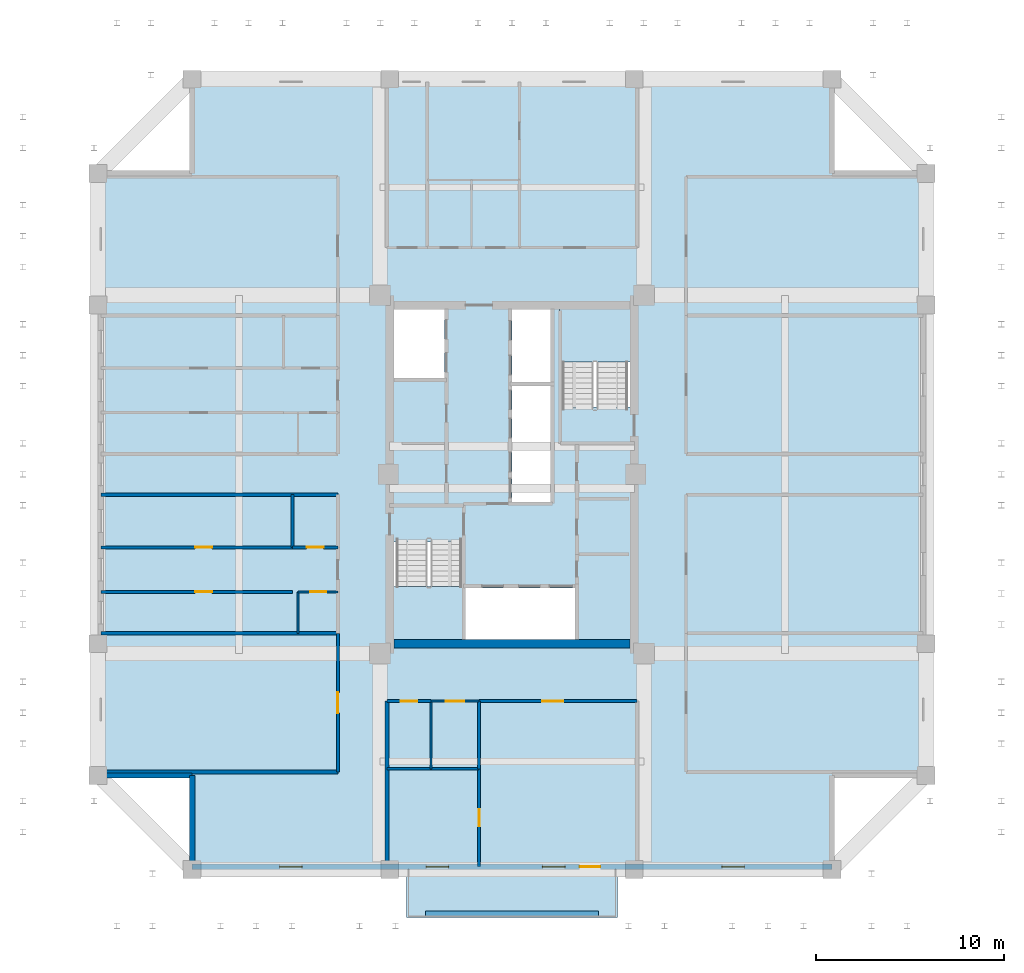
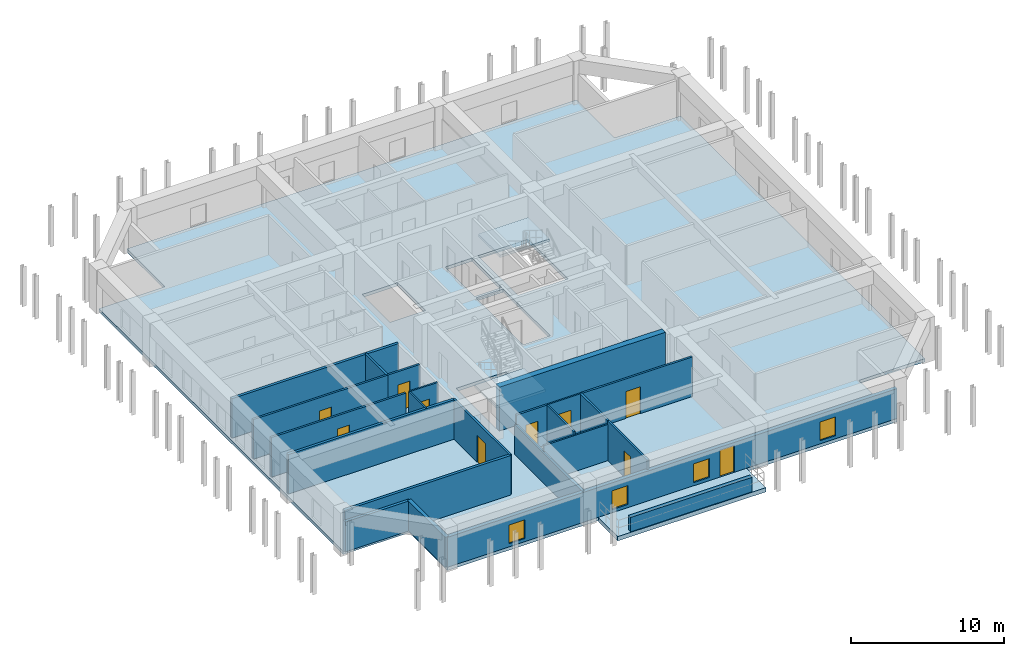
# One storey, part 7 of 13: 23 walls, 10 doors, 4 slabs, 4 windows, 14 openings, 2 elements without a shape of their own.
"""IFC4 building model written with IfcOpenShell, lengths in metres."""

from ifc_helpers import new_model, si_unit, direction, frame, frame_2d, origin, place, context, subcontext, project, spatial, polyline, rectangle, outline, extrude, source, transform, mapped, material, layer, layer_set, type_object, element, fill, aggregate, save


model = new_model("IFC4")

# Units and contexts
model_context = context("Model", 3, precision=1e-05, world=origin(), true_north=direction((0.0, 1.0)))
body_context = subcontext(model_context, "Body", "Model", "MODEL_VIEW")
ifc_project = project(units=[si_unit("LENGTHUNIT", "METRE"), si_unit("AREAUNIT", "SQUARE_METRE"), si_unit("VOLUMEUNIT", "CUBIC_METRE"), si_unit("PLANEANGLEUNIT", "RADIAN"), si_unit("MASSUNIT", "GRAM", prefix="KILO")], contexts=[model_context])

# Site, building, storey
site_placement = place(None, origin())
site = spatial("IfcSite", under=ifc_project, at=site_placement, CompositionType="ELEMENT")
building_placement = place(site_placement, origin())
building = spatial("IfcBuilding", under=site, at=building_placement, Name="Saelheon Loggia Tower", CompositionType="ELEMENT")
storey_placement = place(building_placement, frame((0.0, 0.0, 148.699951171875)))
storey = spatial("IfcBuildingStorey", under=building, at=storey_placement, Name="L47", CompositionType="ELEMENT", Elevation=148.699951171875)

# Slabs
ifc_material_1 = material(Name="Concrete C45/55", Category="concrete")
ifc_layer_1 = layer(ifc_material_1, 0.260009765625)
ifc_layer_set_1 = layer_set([ifc_layer_1], Name="Concrete C45/55")
slab_type_1 = type_object("IfcSlabType", Name="Slab_Amenity_260", PredefinedType="FLOOR", material=ifc_layer_set_1)
slab_1_placement = place(storey_placement, frame((0.0, 0.0, -0.260009765625)))
element("IfcSlab", 1, at=slab_1_placement, inside=storey, type_object=slab_type_1, Name="L47 Tower Floor Slab", PredefinedType="FLOOR", context=body_context, shape_type="SweptSolid", body=[
    extrude(outline(polyline([(21.0, 6.0), (55.0, 6.0), (55.0, 11.0), (60.0, 11.0), (60.0, 43.0), (55.0, 43.0), (55.0, 48.0), (21.0, 48.0), (21.0, 43.0), (16.0, 43.0), (16.0, 11.0), (21.0, 11.0), (21.0, 6.0)]), holes=[polyline([(31.699951171875, 23.409912109375), (31.699951171875, 18.199951171875), (35.47998046875, 18.199951171875), (35.47998046875, 23.409912109375), (31.699951171875, 23.409912109375)]), polyline([(44.300048828125, 30.590087890625), (44.300048828125, 35.800048828125), (40.52001953125, 35.800048828125), (40.52001953125, 30.590087890625), (44.300048828125, 30.590087890625)]), polyline([(35.530029296875, 18.22509765625), (41.35009765625, 18.22509765625), (41.35009765625, 20.9599609375), (35.530029296875, 20.9599609375), (35.530029296875, 18.22509765625)]), polyline([(31.72509765625, 32.1201171875), (34.419921875, 32.1201171875), (34.419921875, 35.77490234375), (31.72509765625, 35.77490234375), (31.72509765625, 32.1201171875)]), polyline([(38.0, 31.89990234375), (40.050048828125, 31.89990234375), (40.050048828125, 35.77490234375), (38.0, 35.77490234375), (38.0, 31.89990234375)]), polyline([(38.0, 25.5400390625), (40.050048828125, 25.5400390625), (40.050048828125, 31.699951171875), (38.0, 31.699951171875), (38.0, 25.5400390625)])]), origin(), (0.0, 0.0, 1.0), 0.260009765625),
])
ifc_material_2 = material(Name="Concrete C50/60", Category="concrete")
ifc_layer_2 = layer(ifc_material_2, 0.340087890625)
ifc_layer_set_2 = layer_set([ifc_layer_2], Name="Concrete C50/60")
slab_type_2 = type_object("IfcSlabType", Name="Slab_SkyPoolDeck_Ext_340", PredefinedType="FLOOR", material=ifc_layer_set_2)
slab_2_placement = place(storey_placement, frame((0.0, 0.0, -0.33984375)))
element("IfcSlab", 2, at=slab_2_placement, inside=storey, type_object=slab_type_2, Name="L47 Cantilevered Sky Pool and Deck Slab", PredefinedType="FLOOR", context=body_context, shape_type="SweptSolid", body=[
    extrude(outline(polyline([(32.39990234375, 3.449951171875), (43.60009765625, 3.449951171875), (43.60009765625, 6.0), (32.39990234375, 6.0), (32.39990234375, 3.449951171875)])), origin(), (0.0, 0.0, 1.0), 0.33984375),
])

# Stair, slab
ifc_material_3 = material(Name="Concrete C40/50", Category="concrete")
stair_type = type_object("IfcStairType", Name="Stair_Escape_Core", PredefinedType="HALF_TURN_STAIR", material=ifc_material_3)
stair_1_placement = place(storey_placement, origin())
stair_1 = element("IfcStair", 3, at=stair_1_placement, inside=storey, type_object=stair_type, Name="L47 Special Escape Stair ST1", PredefinedType="HALF_TURN_STAIR")
ifc_layer_3 = layer(ifc_material_3, 0.199951171875)
ifc_layer_set_3 = layer_set([ifc_layer_3], Name="Concrete C40/50")
slab_type_3 = type_object("IfcSlabType", Name="Slab_StairLanding_ST1", PredefinedType="LANDING", material=ifc_layer_set_3)
slab_3_placement = place(storey_placement, frame((0.0, 0.0, 1.550048828125)))
slab_3 = element("IfcSlab", 4, at=slab_3_placement, type_object=slab_type_3, Name="ST1 landing 1", PredefinedType="LANDING", context=body_context, shape_type="SweptSolid", body=[
    extrude(outline(polyline([(31.7099609375, 21.030029296875), (31.7099609375, 18.2099609375), (35.469970703125, 18.2099609375), (35.469970703125, 21.030029296875), (31.7099609375, 21.030029296875)])), origin(), (0.0, 0.0, 1.0), 0.199951171875),
])
aggregate(stair_1, [slab_3])

stair_2_placement = place(storey_placement, origin())
stair_2 = element("IfcStair", 5, at=stair_2_placement, inside=storey, type_object=stair_type, Name="L47 Special Escape Stair ST2", PredefinedType="HALF_TURN_STAIR")
ifc_layer_4 = layer(ifc_material_3, 0.199951171875)
ifc_layer_set_4 = layer_set([ifc_layer_4], Name="Concrete C40/50")
slab_type_4 = type_object("IfcSlabType", Name="Slab_StairLanding_ST2", PredefinedType="LANDING", material=ifc_layer_set_4)
slab_4_placement = place(storey_placement, frame((0.0, 0.0, 1.550048828125)))
slab_4 = element("IfcSlab", 6, at=slab_4_placement, type_object=slab_type_4, Name="ST2 landing 1", PredefinedType="LANDING", context=body_context, shape_type="SweptSolid", body=[
    extrude(outline(polyline([(44.2900390625, 32.969970703125), (44.2900390625, 35.7900390625), (40.530029296875, 35.7900390625), (40.530029296875, 32.969970703125), (44.2900390625, 32.969970703125)])), origin(), (0.0, 0.0, 1.0), 0.199951171875),
])
aggregate(stair_2, [slab_4])

# Wall
ifc_layer_5 = layer(ifc_material_1, 0.449951171875)
ifc_layer_set_5 = layer_set([ifc_layer_5], Name="Concrete C45/55")
wall_type_1 = type_object("IfcWallType", Name="Wall_CoreShear_450", PredefinedType="SHEAR", material=ifc_layer_set_5)
wall_1_placement = place(storey_placement, frame((31.72509765625, 18.0, 0.0), z_axis=(0.0, 0.0, 1.0), x_axis=(1.0, 0.0, 0.0)))
element("IfcWall", 7, at=wall_1_placement, inside=storey, type_object=wall_type_1, Name="L47 Core Shear Wall South", PredefinedType="SHEAR", context=body_context, shape_type="SweptSolid", body=[
    extrude(rectangle(XDim=12.5498046875, YDim=0.449951171875, at=frame_2d((6.27490234375, 0.0))), origin(), (0.0, 0.0, 1.0), 3.5),
])

# Wall, openings, windows, door
ifc_material_4 = material(Name="Architectural Precast Concrete C40/50", Category="concrete")
ifc_layer_6 = layer(ifc_material_4, 0.280029296875)
ifc_layer_set_6 = layer_set([ifc_layer_6], Name="Architectural Precast Concrete C40/50")
wall_type_2 = type_object("IfcWallType", Name="Wall_Ext_Loggia_280", PredefinedType="SOLIDWALL", material=ifc_layer_set_6)
wall_2_placement = place(storey_placement, frame((21.0, 6.139892578125, 0.0), z_axis=(0.0, 0.0, 1.0), x_axis=(1.0, 0.0, 0.0)))
wall_2 = element("IfcWall", 8, at=wall_2_placement, inside=storey, type_object=wall_type_2, Name="L47 South Loggia Inner Wall", PredefinedType="SOLIDWALL", context=body_context, shape_type="SweptSolid", body=[
    extrude(rectangle(XDim=34.0, YDim=0.280029296875, at=frame_2d((17.0, 0.0))), origin(), (0.0, 0.0, 1.0), 2.39013671875),
])
opening_1_placement = place(wall_2_placement, frame((4.64990234375, 0.0, 0.25)))
opening_1 = element("IfcOpeningElement", 9, at=opening_1_placement, cuts=wall_2, Name="Opening WN-03", PredefinedType="OPENING", context=body_context, shape_type="SweptSolid", body=[
    extrude(rectangle(XDim=1.199951171875, YDim=1.5, at=frame_2d((0.60009765625, 0.75))), frame((0.0, 0.152099609375, 0.0), z_axis=(0.0, -1.0, 0.0), x_axis=(1.0, 0.0, 0.0)), (0.0, 0.0, 1.0), 0.303955078125),
])
opening_2_placement = place(wall_2_placement, frame((12.4326171875, 0.0, 0.25)))
opening_2 = element("IfcOpeningElement", 10, at=opening_2_placement, cuts=wall_2, Name="Opening WN-03", PredefinedType="OPENING", context=body_context, shape_type="SweptSolid", body=[
    extrude(rectangle(XDim=1.199951171875, YDim=1.5, at=frame_2d((0.60009765625, 0.75))), frame((0.0, 0.152099609375, 0.0), z_axis=(0.0, -1.0, 0.0), x_axis=(1.0, 0.0, 0.0)), (0.0, 0.0, 1.0), 0.303955078125),
])
opening_3_placement = place(wall_2_placement, frame((18.617431640625, 0.0, 0.25)))
opening_3 = element("IfcOpeningElement", 11, at=opening_3_placement, cuts=wall_2, Name="Opening WN-03", PredefinedType="OPENING", context=body_context, shape_type="SweptSolid", body=[
    extrude(rectangle(XDim=1.199951171875, YDim=1.5, at=frame_2d((0.60009765625, 0.75))), frame((0.0, 0.152099609375, 0.0), z_axis=(0.0, -1.0, 0.0), x_axis=(1.0, 0.0, 0.0)), (0.0, 0.0, 1.0), 0.303955078125),
])
opening_4_placement = place(wall_2_placement, frame((28.14990234375, 0.0, 0.25)))
opening_4 = element("IfcOpeningElement", 12, at=opening_4_placement, cuts=wall_2, Name="Opening WN-03", PredefinedType="OPENING", context=body_context, shape_type="SweptSolid", body=[
    extrude(rectangle(XDim=1.199951171875, YDim=1.5, at=frame_2d((0.60009765625, 0.75))), frame((0.0, 0.152099609375, 0.0), z_axis=(0.0, -1.0, 0.0), x_axis=(1.0, 0.0, 0.0)), (0.0, 0.0, 1.0), 0.303955078125),
])
opening_5_placement = place(wall_2_placement, frame((21.7001953125, 0.0, 0.0), z_axis=(0.0, 0.0, 1.0), x_axis=(-1.0, 0.0, 0.0)))
opening_5 = element("IfcOpeningElement", 13, at=opening_5_placement, cuts=wall_2, Name="Opening TD1", PredefinedType="OPENING", context=body_context, shape_type="SweptSolid", body=[
    extrude(rectangle(XDim=1.10009765625, YDim=2.14990234375, at=frame_2d((0.550048828125, 1.074951171875))), frame((0.0, 0.152099609375, 0.0), z_axis=(0.0, -1.0, 0.0), x_axis=(1.0, 0.0, 0.0)), (0.0, 0.0, 1.0), 0.303955078125),
])
ifc_material_5 = material(Name="Thermal-Break Aluminium and Triple Low-E Glass", Category="aluminium")
window_type = type_object("IfcWindowType", Name="Win_Bedroom_1200x1500", PartitioningType="SINGLE_PANEL", PredefinedType="WINDOW", material=ifc_material_5)
shared_shape_1 = source(origin(), body_context, "Body", "SweptSolid", [
    extrude(rectangle(XDim=1.199951171875, YDim=1.5, at=frame_2d((0.60009765625, 0.75))), frame((0.0, 0.030029296875, 0.0), z_axis=(0.0, -1.0, 0.0), x_axis=(1.0, 0.0, 0.0)), (0.0, 0.0, 1.0), 0.06005859375),
])
window_1_placement = place(opening_1_placement, origin())
window_1 = element("IfcWindow", 14, at=window_1_placement, inside=storey, type_object=window_type, Name="L47 S Dwelling Window 1", OverallHeight=1.5, OverallWidth=1.199951171875, PartitioningType="SINGLE_PANEL", PredefinedType="WINDOW", context=body_context, shape_type="MappedRepresentation", body=[
    mapped(shared_shape_1, transform((0.0, 0.0, 0.0), scale=1.0)),
])
fill(opening_1, window_1)
window_2_placement = place(opening_2_placement, origin())
window_2 = element("IfcWindow", 15, at=window_2_placement, inside=storey, type_object=window_type, Name="L47 S Dwelling Window 2", OverallHeight=1.5, OverallWidth=1.199951171875, PartitioningType="SINGLE_PANEL", PredefinedType="WINDOW", context=body_context, shape_type="MappedRepresentation", body=[
    mapped(shared_shape_1, transform((0.0, 0.0, 0.0), scale=1.0)),
])
fill(opening_2, window_2)
window_3_placement = place(opening_3_placement, origin())
window_3 = element("IfcWindow", 16, at=window_3_placement, inside=storey, type_object=window_type, Name="L47 S Dwelling Window 3", OverallHeight=1.5, OverallWidth=1.199951171875, PartitioningType="SINGLE_PANEL", PredefinedType="WINDOW", context=body_context, shape_type="MappedRepresentation", body=[
    mapped(shared_shape_1, transform((0.0, 0.0, 0.0), scale=1.0)),
])
fill(opening_3, window_3)
window_4_placement = place(opening_4_placement, origin())
window_4 = element("IfcWindow", 17, at=window_4_placement, inside=storey, type_object=window_type, Name="L47 S Dwelling Window 4", OverallHeight=1.5, OverallWidth=1.199951171875, PartitioningType="SINGLE_PANEL", PredefinedType="WINDOW", context=body_context, shape_type="MappedRepresentation", body=[
    mapped(shared_shape_1, transform((0.0, 0.0, 0.0), scale=1.0)),
])
fill(opening_4, window_4)
ifc_material_6 = material(Name="Thermal-Break Aluminium Glazed Door", Category="aluminium")
door_type_1 = type_object("IfcDoorType", Name="Door_Terrace_TD1", OperationType="NOTDEFINED", PredefinedType="DOOR", material=ifc_material_6)
shared_shape_2 = source(origin(), body_context, "Body", "SweptSolid", [
    extrude(rectangle(XDim=1.10009765625, YDim=2.14990234375, at=frame_2d((0.550048828125, 1.074951171875))), frame((0.0, 0.02490234375, 0.0), z_axis=(0.0, -1.0, 0.0), x_axis=(1.0, 0.0, 0.0)), (0.0, 0.0, 1.0), 0.050048828125),
])
door_1_placement = place(opening_5_placement, origin())
door_1 = element("IfcDoor", 18, at=door_1_placement, inside=storey, type_object=door_type_1, Name="L47 Sky Pool Terrace Door", OperationType="SINGLE_SWING_LEFT", OverallHeight=2.14990234375, OverallWidth=1.10009765625, PredefinedType="DOOR", context=body_context, shape_type="MappedRepresentation", body=[
    mapped(shared_shape_2, transform((0.0, 0.0, 0.0), scale=1.0)),
])
fill(opening_5, door_1)

# Walls
for number, where, z_axis, x_axis, name in (
    (19, (21.0, 6.080078125, 0.0), (0.0, 0.0, 1.0), (0.0, 1.0, 0.0), "L47 Corner Notch Precast Wall SW1"),
    (20, (16.080078125, 11.0, 0.0), (0.0, 0.0, 1.0), (1.0, 0.0, 0.0), "L47 Corner Notch Precast Wall SW2"),
):
    element("IfcWall", number, at=place(storey_placement, frame(where, z_axis=z_axis, x_axis=x_axis)), inside=storey, type_object=wall_type_2, Name=name, PredefinedType="SOLIDWALL", context=body_context, shape_type="SweptSolid", body=[
        extrude(rectangle(XDim=4.919921875, YDim=0.280029296875, at=frame_2d((2.4599609375, 0.0))), origin(), (0.0, 0.0, 1.0), 2.39013671875),
    ])
ifc_material_7 = material(Name="Lightweight Autoclaved Aerated Concrete Block and Acoustic Gypsum", Category="concrete")
ifc_layer_7 = layer(ifc_material_7, 0.14990234375)
ifc_layer_set_7 = layer_set([ifc_layer_7], Name="Lightweight Autoclaved Aerated Concrete Block and Acoustic Gypsum")
wall_type_3 = type_object("IfcWallType", Name="Wall_Part_150", PredefinedType="PARTITIONING", material=ifc_layer_set_7)
wall_3_placement = place(storey_placement, frame((36.25, 14.949951171875, 0.0), z_axis=(0.0, 0.0, 1.0), x_axis=(0.0, -1.0, 0.0)))
element("IfcWall", 21, at=wall_3_placement, inside=storey, type_object=wall_type_3, Name="L47 S Partition U04", PredefinedType="PARTITIONING", context=body_context, shape_type="SweptSolid", body=[
    extrude(rectangle(XDim=3.599853515625, YDim=0.14990234375, at=frame_2d((1.7998046875, 0.0))), origin(), (0.0, 0.0, 1.0), 3.16015625),
])

# Wall, opening, door
wall_4_placement = place(storey_placement, frame((36.25, 11.35009765625, 0.0), z_axis=(0.0, 0.0, 1.0), x_axis=(0.0, -1.0, 0.0)))
wall_4 = element("IfcWall", 22, at=wall_4_placement, inside=storey, type_object=wall_type_3, Name="L47 S Partition U05", PredefinedType="PARTITIONING", context=body_context, shape_type="SweptSolid", body=[
    extrude(rectangle(XDim=5.2001953125, YDim=0.14990234375, at=frame_2d((2.60009765625, 0.0))), origin(), (0.0, 0.0, 1.0), 3.16015625),
])
opening_6_placement = place(wall_4_placement, frame((2.14990234375, 0.0, 0.0)))
opening_6 = element("IfcOpeningElement", 23, at=opening_6_placement, cuts=wall_4, Name="Opening D-IN2", PredefinedType="OPENING", context=body_context, shape_type="SweptSolid", body=[
    extrude(rectangle(XDim=0.89990234375, YDim=2.10009765625, at=frame_2d((0.449951171875, 1.050048828125))), frame((0.0, 0.0869140625, 0.0), z_axis=(0.0, -1.0, 0.0), x_axis=(1.0, 0.0, 0.0)), (0.0, 0.0, 1.0), 0.173828125),
])
ifc_material_8 = material(Name="Engineered Oak Flush Door", Category="timber")
door_type_2 = type_object("IfcDoorType", Name="Door_Int_900", OperationType="NOTDEFINED", PredefinedType="DOOR", material=ifc_material_8)
shared_shape_3 = source(origin(), body_context, "Body", "SweptSolid", [
    extrude(rectangle(XDim=0.89990234375, YDim=2.10009765625, at=frame_2d((0.449951171875, 1.050048828125))), frame((0.0, 0.02490234375, 0.0), z_axis=(0.0, -1.0, 0.0), x_axis=(1.0, 0.0, 0.0)), (0.0, 0.0, 1.0), 0.050048828125),
])
door_2_placement = place(opening_6_placement, origin())
door_2 = element("IfcDoor", 24, at=door_2_placement, inside=storey, type_object=door_type_2, Name="L47 Reading Alcove Door", OperationType="SINGLE_SWING_RIGHT", OverallHeight=2.10009765625, OverallWidth=0.89990234375, PredefinedType="DOOR", context=body_context, shape_type="MappedRepresentation", body=[
    mapped(shared_shape_3, transform((0.0, 0.0, 0.0), scale=1.0)),
])
fill(opening_6, door_2)

wall_5_placement = place(storey_placement, frame((31.35009765625, 14.949951171875, 0.0), z_axis=(0.0, 0.0, 1.0), x_axis=(1.0, 0.0, 0.0)))
wall_5 = element("IfcWall", 25, at=wall_5_placement, inside=storey, type_object=wall_type_3, Name="L47 S Partition V07", PredefinedType="PARTITIONING", context=body_context, shape_type="SweptSolid", body=[
    extrude(rectangle(XDim=2.349853515625, YDim=0.14990234375, at=frame_2d((1.1748046875, 0.0))), origin(), (0.0, 0.0, 1.0), 3.16015625),
])
opening_7_placement = place(wall_5_placement, frame((0.72509765625, 0.0, 0.0)))
opening_7 = element("IfcOpeningElement", 26, at=opening_7_placement, cuts=wall_5, Name="Opening D-IN2", PredefinedType="OPENING", context=body_context, shape_type="SweptSolid", body=[
    extrude(rectangle(XDim=0.89990234375, YDim=2.10009765625, at=frame_2d((0.449951171875, 1.050048828125))), frame((0.0, 0.0869140625, 0.0), z_axis=(0.0, -1.0, 0.0), x_axis=(1.0, 0.0, 0.0)), (0.0, 0.0, 1.0), 0.173828125),
])
door_3_placement = place(opening_7_placement, origin())
door_3 = element("IfcDoor", 27, at=door_3_placement, inside=storey, type_object=door_type_2, Name="L47 Community Pantry Door", OperationType="SINGLE_SWING_LEFT", OverallHeight=2.10009765625, OverallWidth=0.89990234375, PredefinedType="DOOR", context=body_context, shape_type="MappedRepresentation", body=[
    mapped(shared_shape_3, transform((0.0, 0.0, 0.0), scale=1.0)),
])
fill(opening_7, door_3)

wall_6_placement = place(storey_placement, frame((36.25, 14.949951171875, 0.0), z_axis=(0.0, 0.0, 1.0), x_axis=(1.0, 0.0, 0.0)))
wall_6 = element("IfcWall", 28, at=wall_6_placement, inside=storey, type_object=wall_type_3, Name="L47 S Partition V09", PredefinedType="PARTITIONING", context=body_context, shape_type="SweptSolid", body=[
    extrude(rectangle(XDim=8.39990234375, YDim=0.14990234375, at=frame_2d((4.199951171875, 0.0))), origin(), (0.0, 0.0, 1.0), 3.16015625),
])
opening_8_placement = place(wall_6_placement, frame((3.367431640625, 0.0, 0.0)))
opening_8 = element("IfcOpeningElement", 29, at=opening_8_placement, cuts=wall_6, Name="Opening D-FD2", PredefinedType="OPENING", context=body_context, shape_type="SweptSolid", body=[
    extrude(rectangle(XDim=1.10009765625, YDim=2.14990234375, at=frame_2d((0.550048828125, 1.074951171875))), frame((0.0, 0.0869140625, 0.0), z_axis=(0.0, -1.0, 0.0), x_axis=(1.0, 0.0, 0.0)), (0.0, 0.0, 1.0), 0.173828125),
])
ifc_material_9 = material(Name="Galvanised Steel Fire Door", Category="steel")
door_type_3 = type_object("IfcDoorType", Name="Door_Fire_FD60_1100", OperationType="NOTDEFINED", PredefinedType="DOOR", material=ifc_material_9)
door_4_placement = place(opening_8_placement, origin())
door_4 = element("IfcDoor", 30, at=door_4_placement, inside=storey, type_object=door_type_3, Name="L47 Sky Pool Observatory Hall Door A", OperationType="SINGLE_SWING_LEFT", OverallHeight=2.14990234375, OverallWidth=1.10009765625, PredefinedType="DOOR", context=body_context, shape_type="MappedRepresentation", body=[
    mapped(shared_shape_2, transform((0.0, 0.0, 0.0), scale=1.0)),
])
fill(opening_8, door_4)

wall_7_placement = place(storey_placement, frame((28.75, 11.179931640625, 0.0), z_axis=(0.0, 0.0, 1.0), x_axis=(0.0, 1.0, 0.0)))
wall_7 = element("IfcWall", 31, at=wall_7_placement, inside=storey, type_object=wall_type_3, Name="L47 WS Partition V03", PredefinedType="PARTITIONING", context=body_context, shape_type="SweptSolid", body=[
    extrude(rectangle(XDim=7.3701171875, YDim=0.14990234375, at=frame_2d((3.68505859375, 0.0))), origin(), (0.0, 0.0, 1.0), 3.16015625),
])
opening_9_placement = place(wall_7_placement, frame((3.135009765625, 0.0, 0.0)))
opening_9 = element("IfcOpeningElement", 32, at=opening_9_placement, cuts=wall_7, Name="Opening D-FD2", PredefinedType="OPENING", context=body_context, shape_type="SweptSolid", body=[
    extrude(rectangle(XDim=1.10009765625, YDim=2.14990234375, at=frame_2d((0.550048828125, 1.074951171875))), frame((0.0, 0.0869140625, 0.0), z_axis=(0.0, -1.0, 0.0), x_axis=(1.0, 0.0, 0.0)), (0.0, 0.0, 1.0), 0.173828125),
])
door_5_placement = place(opening_9_placement, origin())
door_5 = element("IfcDoor", 33, at=door_5_placement, inside=storey, type_object=door_type_3, Name="L47 Community Wellness Activity Hall Door A", OperationType="SINGLE_SWING_LEFT", OverallHeight=2.14990234375, OverallWidth=1.10009765625, PredefinedType="DOOR", context=body_context, shape_type="MappedRepresentation", body=[
    mapped(shared_shape_2, transform((0.0, 0.0, 0.0), scale=1.0)),
])
fill(opening_9, door_5)

# Wall
wall_8_placement = place(storey_placement, frame((26.330078125, 23.119384765625, 0.0), z_axis=(0.0, 0.0, 1.0), x_axis=(0.0, 1.0, 0.0)))
element("IfcWall", 34, at=wall_8_placement, inside=storey, type_object=wall_type_3, Name="L47 WS Partition V09", PredefinedType="PARTITIONING", context=body_context, shape_type="SweptSolid", body=[
    extrude(rectangle(XDim=2.800537109375, YDim=0.14990234375, at=frame_2d((1.400390625, 0.0))), origin(), (0.0, 0.0, 1.0), 3.16015625),
])

# Wall, opening, door
wall_9_placement = place(storey_placement, frame((26.330078125, 20.75, 0.0), z_axis=(0.0, 0.0, 1.0), x_axis=(-1.0, 0.0, 0.0)))
wall_9 = element("IfcWall", 35, at=wall_9_placement, inside=storey, type_object=wall_type_3, Name="L47 WS Partition U11", PredefinedType="PARTITIONING", context=body_context, shape_type="SweptSolid", body=[
    extrude(rectangle(XDim=10.18017578125, YDim=0.14990234375, at=frame_2d((5.090087890625, 0.0))), origin(), (0.0, 0.0, 1.0), 3.16015625),
])
opening_10_placement = place(wall_9_placement, frame((4.273193359375, 0.0, 0.0)))
opening_10 = element("IfcOpeningElement", 36, at=opening_10_placement, cuts=wall_9, Name="Opening D-IN2", PredefinedType="OPENING", context=body_context, shape_type="SweptSolid", body=[
    extrude(rectangle(XDim=0.89990234375, YDim=2.10009765625, at=frame_2d((0.449951171875, 1.050048828125))), frame((0.0, 0.0869140625, 0.0), z_axis=(0.0, -1.0, 0.0), x_axis=(1.0, 0.0, 0.0)), (0.0, 0.0, 1.0), 0.173828125),
])
door_6_placement = place(opening_10_placement, origin())
door_6 = element("IfcDoor", 37, at=door_6_placement, inside=storey, type_object=door_type_2, Name="Unit U01 Kitchen Door", OperationType="SINGLE_SWING_RIGHT", OverallHeight=2.10009765625, OverallWidth=0.89990234375, PredefinedType="DOOR", context=body_context, shape_type="MappedRepresentation", body=[
    mapped(shared_shape_3, transform((0.0, 0.0, 0.0), scale=1.0)),
])
fill(opening_10, door_6)

wall_10_placement = place(storey_placement, frame((28.75, 23.119384765625, 0.0), z_axis=(0.0, 0.0, 1.0), x_axis=(-1.0, 0.0, 0.0)))
wall_10 = element("IfcWall", 38, at=wall_10_placement, inside=storey, type_object=wall_type_3, Name="L47 WS Partition U12", PredefinedType="PARTITIONING", context=body_context, shape_type="SweptSolid", body=[
    extrude(rectangle(XDim=2.419921875, YDim=0.14990234375, at=frame_2d((1.2099609375, 0.0))), origin(), (0.0, 0.0, 1.0), 3.16015625),
])
opening_11_placement = place(wall_10_placement, frame((0.760009765625, 0.0, 0.0)))
opening_11 = element("IfcOpeningElement", 39, at=opening_11_placement, cuts=wall_10, Name="Opening D-IN2", PredefinedType="OPENING", context=body_context, shape_type="SweptSolid", body=[
    extrude(rectangle(XDim=0.89990234375, YDim=2.10009765625, at=frame_2d((0.449951171875, 1.050048828125))), frame((0.0, 0.0869140625, 0.0), z_axis=(0.0, -1.0, 0.0), x_axis=(1.0, 0.0, 0.0)), (0.0, 0.0, 1.0), 0.173828125),
])
door_7_placement = place(opening_11_placement, origin())
door_7 = element("IfcDoor", 40, at=door_7_placement, inside=storey, type_object=door_type_2, Name="Unit U01 Dressing Closet Door", OperationType="SINGLE_SWING_LEFT", OverallHeight=2.10009765625, OverallWidth=0.89990234375, PredefinedType="DOOR", context=body_context, shape_type="MappedRepresentation", body=[
    mapped(shared_shape_3, transform((0.0, 0.0, 0.0), scale=1.0)),
])
fill(opening_11, door_7)

wall_11_placement = place(storey_placement, frame((26.330078125, 23.119384765625, 0.0), z_axis=(0.0, 0.0, 1.0), x_axis=(-1.0, 0.0, 0.0)))
wall_11 = element("IfcWall", 41, at=wall_11_placement, inside=storey, type_object=wall_type_3, Name="L47 WS Partition U13", PredefinedType="PARTITIONING", context=body_context, shape_type="SweptSolid", body=[
    extrude(rectangle(XDim=10.18017578125, YDim=0.14990234375, at=frame_2d((5.090087890625, 0.0))), origin(), (0.0, 0.0, 1.0), 3.16015625),
])
opening_12_placement = place(wall_11_placement, frame((4.273193359375, 0.0, 0.0)))
opening_12 = element("IfcOpeningElement", 42, at=opening_12_placement, cuts=wall_11, Name="Opening D-IN2", PredefinedType="OPENING", context=body_context, shape_type="SweptSolid", body=[
    extrude(rectangle(XDim=0.89990234375, YDim=2.10009765625, at=frame_2d((0.449951171875, 1.050048828125))), frame((0.0, 0.0869140625, 0.0), z_axis=(0.0, -1.0, 0.0), x_axis=(1.0, 0.0, 0.0)), (0.0, 0.0, 1.0), 0.173828125),
])
door_8_placement = place(opening_12_placement, origin())
door_8 = element("IfcDoor", 43, at=door_8_placement, inside=storey, type_object=door_type_2, Name="Unit U01 Bedroom 1 Door", OperationType="SINGLE_SWING_RIGHT", OverallHeight=2.10009765625, OverallWidth=0.89990234375, PredefinedType="DOOR", context=body_context, shape_type="MappedRepresentation", body=[
    mapped(shared_shape_3, transform((0.0, 0.0, 0.0), scale=1.0)),
])
fill(opening_12, door_8)

# Walls
ifc_material_10 = material(Name="Double Acoustic Stud and Fireboard Partition", Category="gypsum")
ifc_layer_8 = layer(ifc_material_10, 0.199951171875)
ifc_layer_set_8 = layer_set([ifc_layer_8], Name="Double Acoustic Stud and Fireboard Partition")
wall_type_4 = type_object("IfcWallType", Name="Wall_Party_200", PredefinedType="PARTITIONING", material=ifc_layer_set_8)
wall_12_placement = place(storey_placement, frame((31.35009765625, 14.949951171875, 0.0), z_axis=(0.0, 0.0, 1.0), x_axis=(0.0, -1.0, 0.0)))
element("IfcWall", 44, at=wall_12_placement, inside=storey, type_object=wall_type_4, Name="L47 S Partition U01", PredefinedType="PARTITIONING", context=body_context, shape_type="SweptSolid", body=[
    extrude(rectangle(XDim=8.800048828125, YDim=0.199951171875, at=frame_2d((4.39990234375, 0.0))), origin(), (0.0, 0.0, 1.0), 2.39013671875),
])
for number, where, z_axis, x_axis, name in (
    (45, (28.75, 11.179931640625, 0.0), (0.0, 0.0, 1.0), (-1.0, 0.0, 0.0), "L47 WS Partition U01"),
    (46, (28.75, 25.919921875, 0.0), (0.0, 0.0, 1.0), (-1.0, 0.0, 0.0), "L47 WS Partition U02"),
    (47, (28.75, 18.550048828125, 0.0), (0.0, 0.0, 1.0), (-1.0, 0.0, 0.0), "L47 WS Partition U04"),
):
    element("IfcWall", number, at=place(storey_placement, frame(where, z_axis=z_axis, x_axis=x_axis)), inside=storey, type_object=wall_type_4, Name=name, PredefinedType="PARTITIONING", context=body_context, shape_type="SweptSolid", body=[
        extrude(rectangle(XDim=12.60009765625, YDim=0.199951171875, at=frame_2d((6.300048828125, 0.0))), origin(), (0.0, 0.0, 1.0), 3.16015625),
    ])
ifc_layer_9 = layer(ifc_material_2, 0.300048828125)
ifc_layer_set_9 = layer_set([ifc_layer_9], Name="Concrete C50/60")
wall_type_5 = type_object("IfcWallType", Name="Wall_PoolTank_300", PredefinedType="SOLIDWALL", material=ifc_layer_set_9)
wall_13_placement = place(storey_placement, frame((33.39990234375, 3.64990234375, 0.0), z_axis=(0.0, 0.0, 1.0), x_axis=(1.0, 0.0, 0.0)))
element("IfcWall", 48, at=wall_13_placement, inside=storey, type_object=wall_type_5, Name="L47 Sky Pool Structural Basin Wall", PredefinedType="SOLIDWALL", context=body_context, shape_type="SweptSolid", body=[
    extrude(rectangle(XDim=9.2001953125, YDim=0.300048828125, at=frame_2d((4.60009765625, 0.0))), origin(), (0.0, 0.0, 1.0), 1.150146484375),
])
ifc_material_11 = material(Name="Moisture-Resistant Cement Board Partition", Category="gypsum")
ifc_layer_10 = layer(ifc_material_11, 0.1201171875)
ifc_layer_set_10 = layer_set([ifc_layer_10], Name="Moisture-Resistant Cement Board Partition")
wall_type_6 = type_object("IfcWallType", Name="Wall_WetPart_120", PredefinedType="PARTITIONING", material=ifc_layer_set_10)
wall_14_placement = place(storey_placement, frame((33.699951171875, 14.949951171875, 0.0), z_axis=(0.0, 0.0, 1.0), x_axis=(0.0, -1.0, 0.0)))
element("IfcWall", 49, at=wall_14_placement, inside=storey, type_object=wall_type_6, Name="L47 S Partition U03", PredefinedType="PARTITIONING", context=body_context, shape_type="SweptSolid", body=[
    extrude(rectangle(XDim=3.599853515625, YDim=0.1201171875, at=frame_2d((1.7998046875, 0.0))), origin(), (0.0, 0.0, 1.0), 3.16015625),
])
wall_15_placement = place(storey_placement, frame((31.35009765625, 11.35009765625, 0.0), z_axis=(0.0, 0.0, 1.0), x_axis=(1.0, 0.0, 0.0)))
element("IfcWall", 50, at=wall_15_placement, inside=storey, type_object=wall_type_6, Name="L47 S Partition V06", PredefinedType="PARTITIONING", context=body_context, shape_type="SweptSolid", body=[
    extrude(rectangle(XDim=4.89990234375, YDim=0.1201171875, at=frame_2d((2.449951171875, 0.0))), origin(), (0.0, 0.0, 1.0), 2.89013671875),
])

# Wall, opening, door
wall_16_placement = place(storey_placement, frame((33.699951171875, 14.949951171875, 0.0), z_axis=(0.0, 0.0, 1.0), x_axis=(1.0, 0.0, 0.0)))
wall_16 = element("IfcWall", 51, at=wall_16_placement, inside=storey, type_object=wall_type_6, Name="L47 S Partition V08", PredefinedType="PARTITIONING", context=body_context, shape_type="SweptSolid", body=[
    extrude(rectangle(XDim=2.550048828125, YDim=0.1201171875, at=frame_2d((1.27490234375, 0.0))), origin(), (0.0, 0.0, 1.0), 3.16015625),
])
opening_13_placement = place(wall_16_placement, frame((0.77490234375, 0.0, 0.0)))
opening_13 = element("IfcOpeningElement", 52, at=opening_13_placement, cuts=wall_16, Name="Opening D-AC1", PredefinedType="OPENING", context=body_context, shape_type="SweptSolid", body=[
    extrude(rectangle(XDim=1.0, YDim=2.10009765625, at=frame_2d((0.5, 1.050048828125))), frame((0.0, 0.072021484375, 0.0), z_axis=(0.0, -1.0, 0.0), x_axis=(1.0, 0.0, 0.0)), (0.0, 0.0, 1.0), 0.14404296875),
])
ifc_material_12 = material(Name="Accessible Laminate Flush Door", Category="timber")
door_type_4 = type_object("IfcDoorType", Name="Door_Acc_1000", OperationType="NOTDEFINED", PredefinedType="DOOR", material=ifc_material_12)
shared_shape_4 = source(origin(), body_context, "Body", "SweptSolid", [
    extrude(rectangle(XDim=1.0, YDim=2.10009765625, at=frame_2d((0.5, 1.050048828125))), frame((0.0, 0.02490234375, 0.0), z_axis=(0.0, -1.0, 0.0), x_axis=(1.0, 0.0, 0.0)), (0.0, 0.0, 1.0), 0.050048828125),
])
door_9_placement = place(opening_13_placement, origin())
door_9 = element("IfcDoor", 53, at=door_9_placement, inside=storey, type_object=door_type_4, Name="L47 Common Washroom Door", OperationType="SINGLE_SWING_RIGHT", OverallHeight=2.10009765625, OverallWidth=1.0, PredefinedType="DOOR", context=body_context, shape_type="MappedRepresentation", body=[
    mapped(shared_shape_4, transform((0.0, 0.0, 0.0), scale=1.0)),
])
fill(opening_13, door_9)

# Wall
wall_17_placement = place(storey_placement, frame((26.6298828125, 18.550048828125, 0.0), z_axis=(0.0, 0.0, 1.0), x_axis=(0.0, 1.0, 0.0)))
element("IfcWall", 54, at=wall_17_placement, inside=storey, type_object=wall_type_6, Name="L47 WS Partition V08", PredefinedType="PARTITIONING", context=body_context, shape_type="SweptSolid", body=[
    extrude(rectangle(XDim=2.199951171875, YDim=0.1201171875, at=frame_2d((1.10009765625, 0.0))), origin(), (0.0, 0.0, 1.0), 3.16015625),
])

# Wall, opening, door
wall_18_placement = place(storey_placement, frame((28.75, 20.75, 0.0), z_axis=(0.0, 0.0, 1.0), x_axis=(-1.0, 0.0, 0.0)))
wall_18 = element("IfcWall", 55, at=wall_18_placement, inside=storey, type_object=wall_type_6, Name="L47 WS Partition U10", PredefinedType="PARTITIONING", context=body_context, shape_type="SweptSolid", body=[
    extrude(rectangle(XDim=2.1201171875, YDim=0.1201171875, at=frame_2d((1.06005859375, 0.0))), origin(), (0.0, 0.0, 1.0), 3.16015625),
])
opening_14_placement = place(wall_18_placement, frame((0.635009765625, 0.0, 0.0)))
opening_14 = element("IfcOpeningElement", 56, at=opening_14_placement, cuts=wall_18, Name="Opening D-BT1", PredefinedType="OPENING", context=body_context, shape_type="SweptSolid", body=[
    extrude(rectangle(XDim=0.85009765625, YDim=2.050048828125, at=frame_2d((0.425048828125, 1.02490234375))), frame((0.0, 0.072021484375, 0.0), z_axis=(0.0, -1.0, 0.0), x_axis=(1.0, 0.0, 0.0)), (0.0, 0.0, 1.0), 0.14404296875),
])
ifc_material_13 = material(Name="Moisture-Resistant Laminate Timber Door", Category="wood")
door_type_5 = type_object("IfcDoorType", Name="Door_Bath_850", OperationType="NOTDEFINED", PredefinedType="DOOR", material=ifc_material_13)
shared_shape_5 = source(origin(), body_context, "Body", "SweptSolid", [
    extrude(rectangle(XDim=0.85009765625, YDim=2.050048828125, at=frame_2d((0.425048828125, 1.02490234375))), frame((0.0, 0.02490234375, 0.0), z_axis=(0.0, -1.0, 0.0), x_axis=(1.0, 0.0, 0.0)), (0.0, 0.0, 1.0), 0.050048828125),
])
door_10_placement = place(opening_14_placement, origin())
door_10 = element("IfcDoor", 57, at=door_10_placement, inside=storey, type_object=door_type_5, Name="Unit U01 Bathroom Door", OperationType="SINGLE_SWING_LEFT", OverallHeight=2.050048828125, OverallWidth=0.85009765625, PredefinedType="DOOR", context=body_context, shape_type="MappedRepresentation", body=[
    mapped(shared_shape_5, transform((0.0, 0.0, 0.0), scale=1.0)),
])
fill(opening_14, door_10)

save(model, "model.ifc")
